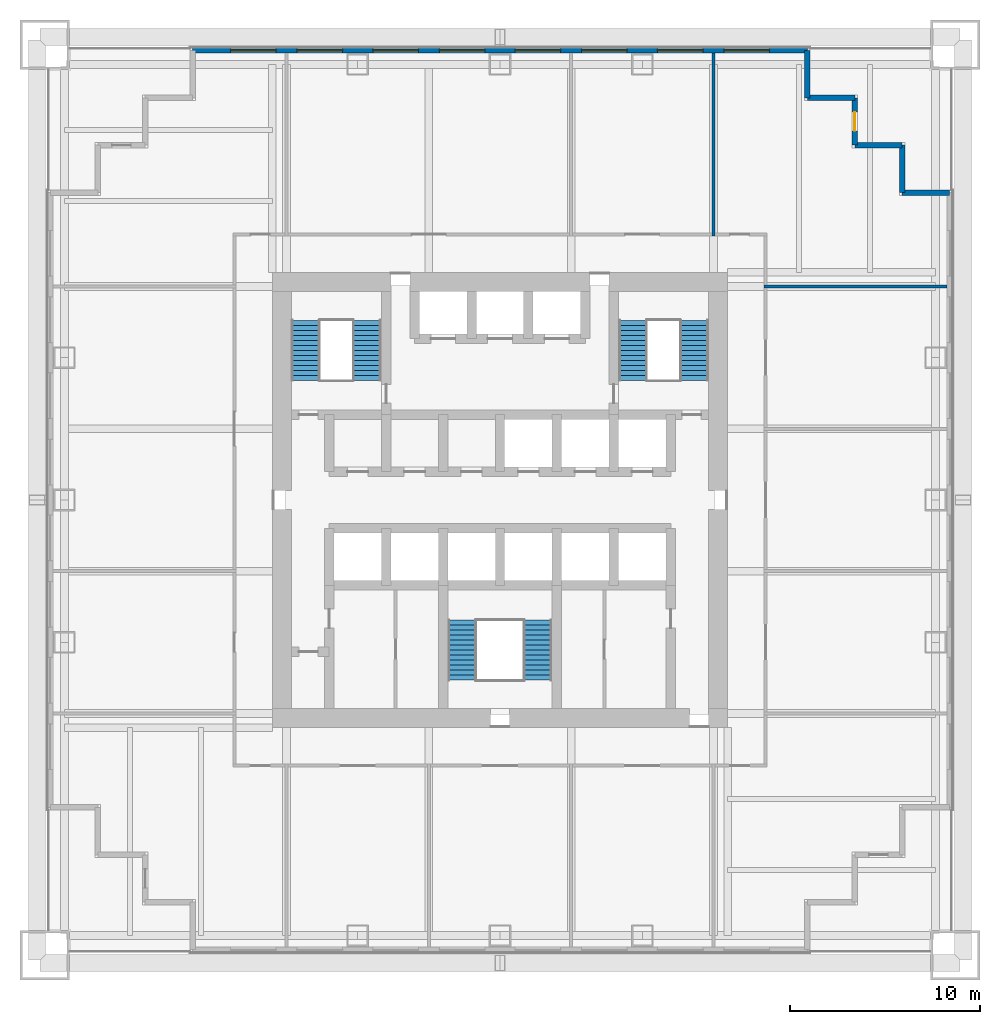
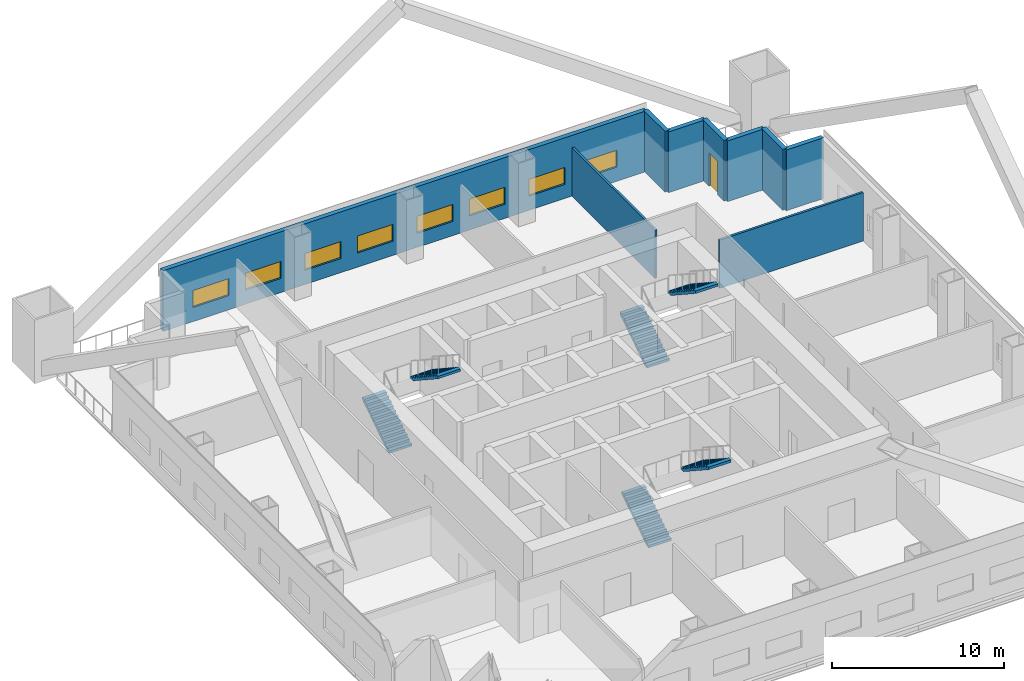
# One storey, part 5 of 6: 9 walls, 8 windows, 6 stair flights, 1 door, 9 openings, 3 elements without a shape of their own.
"""IFC4 building model written with IfcOpenShell, lengths in metres."""

from ifc_helpers import new_model, si_unit, direction, frame, frame_2d, origin, place, context, subcontext, project, spatial, polyline, rectangle, outline, extrude, material, layer, layer_set, type_object, element, fill, aggregate, save


model = new_model("IFC4")

# Units and contexts
model_context = context("Model", 3, precision=1e-05, world=origin(), true_north=direction((0.0, 1.0)))
body_context = subcontext(model_context, "Body", "Model", "MODEL_VIEW")
ifc_project = project(units=[si_unit("LENGTHUNIT", "METRE"), si_unit("AREAUNIT", "SQUARE_METRE"), si_unit("VOLUMEUNIT", "CUBIC_METRE"), si_unit("PLANEANGLEUNIT", "RADIAN"), si_unit("MASSUNIT", "GRAM", prefix="KILO")], contexts=[model_context])

# Site, building, storey
site_placement = place(None, origin())
site = spatial("IfcSite", under=ifc_project, at=site_placement, CompositionType="ELEMENT")
building_placement = place(site_placement, origin())
building = spatial("IfcBuilding", under=site, at=building_placement, Name="Tarangal Relay Tower", CompositionType="ELEMENT")
storey_placement = place(building_placement, frame((0.0, 0.0, 104.39990234375)))
storey = spatial("IfcBuildingStorey", under=building, at=storey_placement, Name="L20", CompositionType="ELEMENT", Elevation=104.39990234375)

# Wall, openings, windows
ifc_material_1 = material(Name="Insulated precast concrete fc' 40 MPa", Category="concrete")
ifc_layer_1 = layer(ifc_material_1, 0.300048828125)
ifc_layer_set_1 = layer_set([ifc_layer_1], Name="Insulated precast concrete fc' 40 MPa")
wall_type_1 = type_object("IfcWallType", Name="Facade wall precast 300", PredefinedType="SOLIDWALL", material=ifc_layer_set_1)
wall_1_placement = place(storey_placement, frame((-16.199951171875, 23.699951171875, 0.0), z_axis=(0.0, 0.0, 1.0), x_axis=(1.0, 0.0, 0.0)))
wall_1 = element("IfcWall", 1, at=wall_1_placement, inside=storey, type_object=wall_type_1, Name="Facade wall N facade L20", PredefinedType="SOLIDWALL", context=body_context, shape_type="SweptSolid", body=[
    extrude(rectangle(XDim=32.39990234375, YDim=0.300048828125, at=frame_2d((16.199951171875, 0.0))), origin(), (0.0, 0.0, 1.0), 4.300048828125),
])
opening_1_placement = place(wall_1_placement, frame((2.0, 0.0, 1.0)))
opening_1 = element("IfcOpeningElement", 2, at=opening_1_placement, cuts=wall_1, Name="Opening WN1", PredefinedType="OPENING", context=body_context, shape_type="SweptSolid", body=[
    extrude(rectangle(XDim=2.39990234375, YDim=1.199951171875, at=frame_2d((1.199951171875, 0.60009765625))), frame((0.0, 0.159912109375, 0.0), z_axis=(0.0, -1.0, 0.0), x_axis=(1.0, 0.0, 0.0)), (0.0, 0.0, 1.0), 0.320068359375),
])
opening_2_placement = place(wall_1_placement, frame((5.5, 0.0, 1.0)))
opening_2 = element("IfcOpeningElement", 3, at=opening_2_placement, cuts=wall_1, Name="Opening WN1", PredefinedType="OPENING", context=body_context, shape_type="SweptSolid", body=[
    extrude(rectangle(XDim=2.39990234375, YDim=1.199951171875, at=frame_2d((1.199951171875, 0.60009765625))), frame((0.0, 0.159912109375, 0.0), z_axis=(0.0, -1.0, 0.0), x_axis=(1.0, 0.0, 0.0)), (0.0, 0.0, 1.0), 0.320068359375),
])
opening_3_placement = place(wall_1_placement, frame((9.5, 0.0, 1.0)))
opening_3 = element("IfcOpeningElement", 4, at=opening_3_placement, cuts=wall_1, Name="Opening WN1", PredefinedType="OPENING", context=body_context, shape_type="SweptSolid", body=[
    extrude(rectangle(XDim=2.39990234375, YDim=1.199951171875, at=frame_2d((1.199951171875, 0.60009765625))), frame((0.0, 0.159912109375, 0.0), z_axis=(0.0, -1.0, 0.0), x_axis=(1.0, 0.0, 0.0)), (0.0, 0.0, 1.0), 0.320068359375),
])
opening_4_placement = place(wall_1_placement, frame((13.0, 0.0, 1.0)))
opening_4 = element("IfcOpeningElement", 5, at=opening_4_placement, cuts=wall_1, Name="Opening WN1", PredefinedType="OPENING", context=body_context, shape_type="SweptSolid", body=[
    extrude(rectangle(XDim=2.39990234375, YDim=1.199951171875, at=frame_2d((1.199951171875, 0.60009765625))), frame((0.0, 0.159912109375, 0.0), z_axis=(0.0, -1.0, 0.0), x_axis=(1.0, 0.0, 0.0)), (0.0, 0.0, 1.0), 0.320068359375),
])
opening_5_placement = place(wall_1_placement, frame((17.0, 0.0, 1.0)))
opening_5 = element("IfcOpeningElement", 6, at=opening_5_placement, cuts=wall_1, Name="Opening WN1", PredefinedType="OPENING", context=body_context, shape_type="SweptSolid", body=[
    extrude(rectangle(XDim=2.39990234375, YDim=1.199951171875, at=frame_2d((1.199951171875, 0.60009765625))), frame((0.0, 0.159912109375, 0.0), z_axis=(0.0, -1.0, 0.0), x_axis=(1.0, 0.0, 0.0)), (0.0, 0.0, 1.0), 0.320068359375),
])
opening_6_placement = place(wall_1_placement, frame((20.5, 0.0, 1.0)))
opening_6 = element("IfcOpeningElement", 7, at=opening_6_placement, cuts=wall_1, Name="Opening WN1", PredefinedType="OPENING", context=body_context, shape_type="SweptSolid", body=[
    extrude(rectangle(XDim=2.39990234375, YDim=1.199951171875, at=frame_2d((1.199951171875, 0.60009765625))), frame((0.0, 0.159912109375, 0.0), z_axis=(0.0, -1.0, 0.0), x_axis=(1.0, 0.0, 0.0)), (0.0, 0.0, 1.0), 0.320068359375),
])
opening_7_placement = place(wall_1_placement, frame((24.5, 0.0, 1.0)))
opening_7 = element("IfcOpeningElement", 8, at=opening_7_placement, cuts=wall_1, Name="Opening WN1", PredefinedType="OPENING", context=body_context, shape_type="SweptSolid", body=[
    extrude(rectangle(XDim=2.39990234375, YDim=1.199951171875, at=frame_2d((1.199951171875, 0.60009765625))), frame((0.0, 0.159912109375, 0.0), z_axis=(0.0, -1.0, 0.0), x_axis=(1.0, 0.0, 0.0)), (0.0, 0.0, 1.0), 0.320068359375),
])
opening_8_placement = place(wall_1_placement, frame((28.0, 0.0, 1.0)))
opening_8 = element("IfcOpeningElement", 9, at=opening_8_placement, cuts=wall_1, Name="Opening WN1", PredefinedType="OPENING", context=body_context, shape_type="SweptSolid", body=[
    extrude(rectangle(XDim=2.39990234375, YDim=1.199951171875, at=frame_2d((1.199951171875, 0.60009765625))), frame((0.0, 0.159912109375, 0.0), z_axis=(0.0, -1.0, 0.0), x_axis=(1.0, 0.0, 0.0)), (0.0, 0.0, 1.0), 0.320068359375),
])
ifc_material_2 = material(Name="Dark tinted double glazing in black aluminium frame", Category="aluminium")
window_type = type_object("IfcWindowType", Name="Ribbon window 2400 x 1200", PartitioningType="SINGLE_PANEL", PredefinedType="WINDOW", material=ifc_material_2)
window_1_placement = place(opening_1_placement, origin())
window_1 = element("IfcWindow", 10, at=window_1_placement, inside=storey, type_object=window_type, Name="Ribbon window WN1 N facade L20", OverallHeight=1.199951171875, OverallWidth=2.39990234375, PartitioningType="SINGLE_PANEL", PredefinedType="WINDOW", context=body_context, shape_type="SweptSolid", body=[
    extrude(rectangle(XDim=2.39990234375, YDim=1.199951171875, at=frame_2d((1.199951171875, 0.60009765625))), frame((0.0, 0.030029296875, 0.0), z_axis=(0.0, -1.0, 0.0), x_axis=(1.0, 0.0, 0.0)), (0.0, 0.0, 1.0), 0.06005859375),
])
fill(opening_1, window_1)
window_2_placement = place(opening_2_placement, origin())
window_2 = element("IfcWindow", 11, at=window_2_placement, inside=storey, type_object=window_type, Name="Ribbon window WN1 N facade L20", OverallHeight=1.199951171875, OverallWidth=2.39990234375, PartitioningType="SINGLE_PANEL", PredefinedType="WINDOW", context=body_context, shape_type="SweptSolid", body=[
    extrude(rectangle(XDim=2.39990234375, YDim=1.199951171875, at=frame_2d((1.199951171875, 0.60009765625))), frame((0.0, 0.030029296875, 0.0), z_axis=(0.0, -1.0, 0.0), x_axis=(1.0, 0.0, 0.0)), (0.0, 0.0, 1.0), 0.06005859375),
])
fill(opening_2, window_2)
window_3_placement = place(opening_3_placement, origin())
window_3 = element("IfcWindow", 12, at=window_3_placement, inside=storey, type_object=window_type, Name="Ribbon window WN1 N facade L20", OverallHeight=1.199951171875, OverallWidth=2.39990234375, PartitioningType="SINGLE_PANEL", PredefinedType="WINDOW", context=body_context, shape_type="SweptSolid", body=[
    extrude(rectangle(XDim=2.39990234375, YDim=1.199951171875, at=frame_2d((1.199951171875, 0.60009765625))), frame((0.0, 0.030029296875, 0.0), z_axis=(0.0, -1.0, 0.0), x_axis=(1.0, 0.0, 0.0)), (0.0, 0.0, 1.0), 0.06005859375),
])
fill(opening_3, window_3)
window_4_placement = place(opening_4_placement, origin())
window_4 = element("IfcWindow", 13, at=window_4_placement, inside=storey, type_object=window_type, Name="Ribbon window WN1 N facade L20", OverallHeight=1.199951171875, OverallWidth=2.39990234375, PartitioningType="SINGLE_PANEL", PredefinedType="WINDOW", context=body_context, shape_type="SweptSolid", body=[
    extrude(rectangle(XDim=2.39990234375, YDim=1.199951171875, at=frame_2d((1.199951171875, 0.60009765625))), frame((0.0, 0.030029296875, 0.0), z_axis=(0.0, -1.0, 0.0), x_axis=(1.0, 0.0, 0.0)), (0.0, 0.0, 1.0), 0.06005859375),
])
fill(opening_4, window_4)
window_5_placement = place(opening_5_placement, origin())
window_5 = element("IfcWindow", 14, at=window_5_placement, inside=storey, type_object=window_type, Name="Ribbon window WN1 N facade L20", OverallHeight=1.199951171875, OverallWidth=2.39990234375, PartitioningType="SINGLE_PANEL", PredefinedType="WINDOW", context=body_context, shape_type="SweptSolid", body=[
    extrude(rectangle(XDim=2.39990234375, YDim=1.199951171875, at=frame_2d((1.199951171875, 0.60009765625))), frame((0.0, 0.030029296875, 0.0), z_axis=(0.0, -1.0, 0.0), x_axis=(1.0, 0.0, 0.0)), (0.0, 0.0, 1.0), 0.06005859375),
])
fill(opening_5, window_5)
window_6_placement = place(opening_6_placement, origin())
window_6 = element("IfcWindow", 15, at=window_6_placement, inside=storey, type_object=window_type, Name="Ribbon window WN1 N facade L20", OverallHeight=1.199951171875, OverallWidth=2.39990234375, PartitioningType="SINGLE_PANEL", PredefinedType="WINDOW", context=body_context, shape_type="SweptSolid", body=[
    extrude(rectangle(XDim=2.39990234375, YDim=1.199951171875, at=frame_2d((1.199951171875, 0.60009765625))), frame((0.0, 0.030029296875, 0.0), z_axis=(0.0, -1.0, 0.0), x_axis=(1.0, 0.0, 0.0)), (0.0, 0.0, 1.0), 0.06005859375),
])
fill(opening_6, window_6)
window_7_placement = place(opening_7_placement, origin())
window_7 = element("IfcWindow", 16, at=window_7_placement, inside=storey, type_object=window_type, Name="Ribbon window WN1 N facade L20", OverallHeight=1.199951171875, OverallWidth=2.39990234375, PartitioningType="SINGLE_PANEL", PredefinedType="WINDOW", context=body_context, shape_type="SweptSolid", body=[
    extrude(rectangle(XDim=2.39990234375, YDim=1.199951171875, at=frame_2d((1.199951171875, 0.60009765625))), frame((0.0, 0.030029296875, 0.0), z_axis=(0.0, -1.0, 0.0), x_axis=(1.0, 0.0, 0.0)), (0.0, 0.0, 1.0), 0.06005859375),
])
fill(opening_7, window_7)
window_8_placement = place(opening_8_placement, origin())
window_8 = element("IfcWindow", 17, at=window_8_placement, inside=storey, type_object=window_type, Name="Ribbon window WN1 N facade L20", OverallHeight=1.199951171875, OverallWidth=2.39990234375, PartitioningType="SINGLE_PANEL", PredefinedType="WINDOW", context=body_context, shape_type="SweptSolid", body=[
    extrude(rectangle(XDim=2.39990234375, YDim=1.199951171875, at=frame_2d((1.199951171875, 0.60009765625))), frame((0.0, 0.030029296875, 0.0), z_axis=(0.0, -1.0, 0.0), x_axis=(1.0, 0.0, 0.0)), (0.0, 0.0, 1.0), 0.06005859375),
])
fill(opening_8, window_8)

# Walls
for number, where, z_axis, x_axis, name in (
    (18, (16.199951171875, 23.699951171875, 0.0), (0.0, 0.0, 1.0), (0.0, -1.0, 0.0), "Facade wall N facade L20"),
    (19, (16.199951171875, 21.199951171875, 0.0), (0.0, 0.0, 1.0), (1.0, 0.0, 0.0), "Facade wall N facade L20"),
):
    element("IfcWall", number, at=place(storey_placement, frame(where, z_axis=z_axis, x_axis=x_axis)), inside=storey, type_object=wall_type_1, Name=name, PredefinedType="SOLIDWALL", context=body_context, shape_type="SweptSolid", body=[
        extrude(rectangle(XDim=2.5, YDim=0.300048828125, at=frame_2d((1.25, 0.0))), origin(), (0.0, 0.0, 1.0), 4.300048828125),
    ])

# Wall, opening, door
wall_2_placement = place(storey_placement, frame((18.699951171875, 21.199951171875, 0.0), z_axis=(0.0, 0.0, 1.0), x_axis=(0.0, -1.0, 0.0)))
wall_2 = element("IfcWall", 20, at=wall_2_placement, inside=storey, type_object=wall_type_1, Name="Facade wall N facade L20", PredefinedType="SOLIDWALL", context=body_context, shape_type="SweptSolid", body=[
    extrude(rectangle(XDim=2.5, YDim=0.300048828125, at=frame_2d((1.25, 0.0))), origin(), (0.0, 0.0, 1.0), 4.300048828125),
])
opening_9_placement = place(wall_2_placement, frame((0.75, 0.0, 0.0)))
opening_9 = element("IfcOpeningElement", 21, at=opening_9_placement, cuts=wall_2, Name="Opening TD1", PredefinedType="OPENING", context=body_context, shape_type="SweptSolid", body=[
    extrude(rectangle(XDim=1.0, YDim=2.39990234375, at=frame_2d((0.5, 1.199951171875))), frame((0.0, 0.159912109375, 0.0), z_axis=(0.0, -1.0, 0.0), x_axis=(1.0, 0.0, 0.0)), (0.0, 0.0, 1.0), 0.320068359375),
])
ifc_material_3 = material(Name="Aluminium glazed door", Category="aluminium")
door_type = type_object("IfcDoorType", Name="Terrace door 1000 x 2400", OperationType="SINGLE_SWING_RIGHT", PredefinedType="DOOR", material=ifc_material_3)
door_placement = place(opening_9_placement, origin())
door = element("IfcDoor", 22, at=door_placement, inside=storey, type_object=door_type, Name="Terrace door TD1 NE L20", OperationType="SINGLE_SWING_RIGHT", OverallHeight=2.39990234375, OverallWidth=1.0, PredefinedType="DOOR", context=body_context, shape_type="SweptSolid", body=[
    extrude(rectangle(XDim=1.0, YDim=2.39990234375, at=frame_2d((0.5, 1.199951171875))), frame((0.0, 0.02490234375, 0.0), z_axis=(0.0, -1.0, 0.0), x_axis=(1.0, 0.0, 0.0)), (0.0, 0.0, 1.0), 0.050048828125),
])
fill(opening_9, door)

# Walls
for number, where, z_axis, x_axis, name in (
    (23, (18.699951171875, 18.699951171875, 0.0), (0.0, 0.0, 1.0), (1.0, 0.0, 0.0), "Facade wall N facade L20"),
    (24, (21.199951171875, 18.699951171875, 0.0), (0.0, 0.0, 1.0), (0.0, -1.0, 0.0), "Facade wall N facade L20"),
    (25, (21.199951171875, 16.199951171875, 0.0), (0.0, 0.0, 1.0), (1.0, 0.0, 0.0), "Facade wall N facade L20"),
):
    element("IfcWall", number, at=place(storey_placement, frame(where, z_axis=z_axis, x_axis=x_axis)), inside=storey, type_object=wall_type_1, Name=name, PredefinedType="SOLIDWALL", context=body_context, shape_type="SweptSolid", body=[
        extrude(rectangle(XDim=2.5, YDim=0.300048828125, at=frame_2d((1.25, 0.0))), origin(), (0.0, 0.0, 1.0), 4.300048828125),
    ])
ifc_material_4 = material(Name="Gypsum board on steel studs", Category="steel")
ifc_layer_2 = layer(ifc_material_4, 0.14990234375)
ifc_layer_set_2 = layer_set([ifc_layer_2], Name="Partition 150")
wall_type_2 = type_object("IfcWallType", Name="Partition 150", PredefinedType="PARTITIONING", material=ifc_layer_set_2)
for number, where, z_axis, x_axis, name in (
    (26, (13.925048828125, 11.25, 0.0), (0.0, 0.0, 1.0), (1.0, 0.0, 0.0), "Partition PT1 L20"),
    (27, (11.25, 13.925048828125, 0.0), (0.0, 0.0, 1.0), (0.0, 1.0, 0.0), "Partition PT1 L20"),
):
    element("IfcWall", number, at=place(storey_placement, frame(where, z_axis=z_axis, x_axis=x_axis)), inside=storey, type_object=wall_type_2, Name=name, PredefinedType="PARTITIONING", context=body_context, shape_type="SweptSolid", body=[
        extrude(rectangle(XDim=9.625, YDim=0.14990234375, at=frame_2d((4.8125, 0.0))), origin(), (0.0, 0.0, 1.0), 3.431396484375),
    ])

# Stair, stair flights
ifc_material_5 = material(Name="Steel ASTM A992 stair flight", Category="steel")
stair_type = type_object("IfcStairType", Name="Core stair 1500", PredefinedType="HALF_TURN_STAIR", material=ifc_material_5)
stair_1_placement = place(storey_placement, origin())
stair_1 = element("IfcStair", 28, at=stair_1_placement, inside=storey, type_object=stair_type, Name="Stair ST-A L20", PredefinedType="HALF_TURN_STAIR")
stair_flight_type = type_object("IfcStairFlightType", Name="Steel stair flight 1500, 13 risers 173 x 264", PredefinedType="STRAIGHT", material=ifc_material_5)
stair_flight_1_placement = place(storey_placement, frame((-10.25, 6.300048828125, 0.0), z_axis=(0.0, 0.0, 1.0), x_axis=(0.0, 1.0, 0.0)))
stair_flight_1 = element("IfcStairFlight", 29, at=stair_flight_1_placement, type_object=stair_flight_type, Name="ST-A flight 1", NumberOfRisers=13, NumberOfTreads=12, PredefinedType="STRAIGHT", RiserHeight=0.173076923, TreadLength=0.264, context=body_context, shape_type="SweptSolid", body=[
    extrude(outline(polyline([(0.0, 0.0), (0.0, 0.173095703125), (0.263916015625, 0.173095703125), (0.263916015625, 0.34619140625), (0.528076171875, 0.34619140625), (0.528076171875, 0.519287109375), (0.7919921875, 0.519287109375), (0.7919921875, 0.6923828125), (1.055908203125, 0.6923828125), (1.055908203125, 0.865478515625), (1.320068359375, 0.865478515625), (1.320068359375, 1.03857421875), (1.583984375, 1.03857421875), (1.583984375, 1.21142578125), (1.847900390625, 1.21142578125), (1.847900390625, 1.384521484375), (2.112060546875, 1.384521484375), (2.112060546875, 1.5576171875), (2.3759765625, 1.5576171875), (2.3759765625, 1.730712890625), (2.639892578125, 1.730712890625), (2.639892578125, 1.90380859375), (2.904052734375, 1.90380859375), (2.904052734375, 2.076904296875), (3.16796875, 2.076904296875), (3.16796875, 2.25), (3.16796875, 1.897705078125), (0.2734375, 0.0), (0.0, 0.0)])), frame((0.0, 0.75, 0.0), z_axis=(0.0, -1.0, 0.0), x_axis=(1.0, 0.0, 0.0)), (0.0, 0.0, 1.0), 1.5),
])
stair_flight_2_placement = place(storey_placement, frame((-7.0, 9.468017578125, 2.25), z_axis=(0.0, 0.0, 1.0), x_axis=(0.0, -1.0, 0.0)))
stair_flight_2 = element("IfcStairFlight", 30, at=stair_flight_2_placement, type_object=stair_flight_type, Name="ST-A flight 2", NumberOfRisers=13, NumberOfTreads=12, PredefinedType="STRAIGHT", RiserHeight=0.173076923, TreadLength=0.264, context=body_context, shape_type="SweptSolid", body=[
    extrude(outline(polyline([(0.0, 0.0), (0.0, 0.173095703125), (0.263916015625, 0.173095703125), (0.263916015625, 0.34619140625), (0.528076171875, 0.34619140625), (0.528076171875, 0.519287109375), (0.7919921875, 0.519287109375), (0.7919921875, 0.6923828125), (1.055908203125, 0.6923828125), (1.055908203125, 0.865478515625), (1.320068359375, 0.865478515625), (1.320068359375, 1.03857421875), (1.583984375, 1.03857421875), (1.583984375, 1.21142578125), (1.847900390625, 1.21142578125), (1.847900390625, 1.384521484375), (2.112060546875, 1.384521484375), (2.112060546875, 1.5576171875), (2.3759765625, 1.5576171875), (2.3759765625, 1.730712890625), (2.639892578125, 1.730712890625), (2.639892578125, 1.90380859375), (2.904052734375, 1.90380859375), (2.904052734375, 2.076904296875), (3.16796875, 2.076904296875), (3.16796875, 2.25), (3.16796875, 1.897705078125), (0.2734375, 0.0), (0.0, 0.0)])), frame((0.0, 0.75, 0.0), z_axis=(0.0, -1.0, 0.0), x_axis=(1.0, 0.0, 0.0)), (0.0, 0.0, 1.0), 1.5),
])
aggregate(stair_1, [stair_flight_1, stair_flight_2])

stair_2_placement = place(storey_placement, origin())
stair_2 = element("IfcStair", 31, at=stair_2_placement, inside=storey, type_object=stair_type, Name="Stair ST-B L20", PredefinedType="HALF_TURN_STAIR")
stair_flight_3_placement = place(storey_placement, frame((7.0, 6.300048828125, 0.0), z_axis=(0.0, 0.0, 1.0), x_axis=(0.0, 1.0, 0.0)))
stair_flight_3 = element("IfcStairFlight", 32, at=stair_flight_3_placement, type_object=stair_flight_type, Name="ST-B flight 1", NumberOfRisers=13, NumberOfTreads=12, PredefinedType="STRAIGHT", RiserHeight=0.173076923, TreadLength=0.264, context=body_context, shape_type="SweptSolid", body=[
    extrude(outline(polyline([(0.0, 0.0), (0.0, 0.173095703125), (0.263916015625, 0.173095703125), (0.263916015625, 0.34619140625), (0.528076171875, 0.34619140625), (0.528076171875, 0.519287109375), (0.7919921875, 0.519287109375), (0.7919921875, 0.6923828125), (1.055908203125, 0.6923828125), (1.055908203125, 0.865478515625), (1.320068359375, 0.865478515625), (1.320068359375, 1.03857421875), (1.583984375, 1.03857421875), (1.583984375, 1.21142578125), (1.847900390625, 1.21142578125), (1.847900390625, 1.384521484375), (2.112060546875, 1.384521484375), (2.112060546875, 1.5576171875), (2.3759765625, 1.5576171875), (2.3759765625, 1.730712890625), (2.639892578125, 1.730712890625), (2.639892578125, 1.90380859375), (2.904052734375, 1.90380859375), (2.904052734375, 2.076904296875), (3.16796875, 2.076904296875), (3.16796875, 2.25), (3.16796875, 1.897705078125), (0.2734375, 0.0), (0.0, 0.0)])), frame((0.0, 0.75, 0.0), z_axis=(0.0, -1.0, 0.0), x_axis=(1.0, 0.0, 0.0)), (0.0, 0.0, 1.0), 1.5),
])
stair_flight_4_placement = place(storey_placement, frame((10.25, 9.468017578125, 2.25), z_axis=(0.0, 0.0, 1.0), x_axis=(0.0, -1.0, 0.0)))
stair_flight_4 = element("IfcStairFlight", 33, at=stair_flight_4_placement, type_object=stair_flight_type, Name="ST-B flight 2", NumberOfRisers=13, NumberOfTreads=12, PredefinedType="STRAIGHT", RiserHeight=0.173076923, TreadLength=0.264, context=body_context, shape_type="SweptSolid", body=[
    extrude(outline(polyline([(0.0, 0.0), (0.0, 0.173095703125), (0.263916015625, 0.173095703125), (0.263916015625, 0.34619140625), (0.528076171875, 0.34619140625), (0.528076171875, 0.519287109375), (0.7919921875, 0.519287109375), (0.7919921875, 0.6923828125), (1.055908203125, 0.6923828125), (1.055908203125, 0.865478515625), (1.320068359375, 0.865478515625), (1.320068359375, 1.03857421875), (1.583984375, 1.03857421875), (1.583984375, 1.21142578125), (1.847900390625, 1.21142578125), (1.847900390625, 1.384521484375), (2.112060546875, 1.384521484375), (2.112060546875, 1.5576171875), (2.3759765625, 1.5576171875), (2.3759765625, 1.730712890625), (2.639892578125, 1.730712890625), (2.639892578125, 1.90380859375), (2.904052734375, 1.90380859375), (2.904052734375, 2.076904296875), (3.16796875, 2.076904296875), (3.16796875, 2.25), (3.16796875, 1.897705078125), (0.2734375, 0.0), (0.0, 0.0)])), frame((0.0, 0.75, 0.0), z_axis=(0.0, -1.0, 0.0), x_axis=(1.0, 0.0, 0.0)), (0.0, 0.0, 1.0), 1.5),
])
aggregate(stair_2, [stair_flight_3, stair_flight_4])

stair_3_placement = place(storey_placement, origin())
stair_3 = element("IfcStair", 34, at=stair_3_placement, inside=storey, type_object=stair_type, Name="Stair ST-C L20", PredefinedType="HALF_TURN_STAIR")
stair_flight_5_placement = place(storey_placement, frame((-2.0, -9.5, 0.0), z_axis=(0.0, 0.0, 1.0), x_axis=(0.0, 1.0, 0.0)))
stair_flight_5 = element("IfcStairFlight", 35, at=stair_flight_5_placement, type_object=stair_flight_type, Name="ST-C flight 1", NumberOfRisers=13, NumberOfTreads=12, PredefinedType="STRAIGHT", RiserHeight=0.173076923, TreadLength=0.264, context=body_context, shape_type="SweptSolid", body=[
    extrude(outline(polyline([(0.0, 0.0), (0.0, 0.173095703125), (0.263916015625, 0.173095703125), (0.263916015625, 0.34619140625), (0.528076171875, 0.34619140625), (0.528076171875, 0.519287109375), (0.7919921875, 0.519287109375), (0.7919921875, 0.6923828125), (1.055908203125, 0.6923828125), (1.055908203125, 0.865478515625), (1.320068359375, 0.865478515625), (1.320068359375, 1.03857421875), (1.583984375, 1.03857421875), (1.583984375, 1.21142578125), (1.847900390625, 1.21142578125), (1.847900390625, 1.384521484375), (2.112060546875, 1.384521484375), (2.112060546875, 1.5576171875), (2.3759765625, 1.5576171875), (2.3759765625, 1.730712890625), (2.639892578125, 1.730712890625), (2.639892578125, 1.90380859375), (2.904052734375, 1.90380859375), (2.904052734375, 2.076904296875), (3.16796875, 2.076904296875), (3.16796875, 2.25), (3.16796875, 1.897705078125), (0.2734375, 0.0), (0.0, 0.0)])), frame((0.0, 0.75, 0.0), z_axis=(0.0, -1.0, 0.0), x_axis=(1.0, 0.0, 0.0)), (0.0, 0.0, 1.0), 1.5),
])
stair_flight_6_placement = place(storey_placement, frame((2.0, -6.33203125, 2.25), z_axis=(0.0, 0.0, 1.0), x_axis=(0.0, -1.0, 0.0)))
stair_flight_6 = element("IfcStairFlight", 36, at=stair_flight_6_placement, type_object=stair_flight_type, Name="ST-C flight 2", NumberOfRisers=13, NumberOfTreads=12, PredefinedType="STRAIGHT", RiserHeight=0.173076923, TreadLength=0.264, context=body_context, shape_type="SweptSolid", body=[
    extrude(outline(polyline([(0.0, 0.0), (0.0, 0.173095703125), (0.263916015625, 0.173095703125), (0.263916015625, 0.34619140625), (0.528076171875, 0.34619140625), (0.528076171875, 0.519287109375), (0.7919921875, 0.519287109375), (0.7919921875, 0.6923828125), (1.055908203125, 0.6923828125), (1.055908203125, 0.865478515625), (1.320068359375, 0.865478515625), (1.320068359375, 1.03857421875), (1.583984375, 1.03857421875), (1.583984375, 1.21142578125), (1.847900390625, 1.21142578125), (1.847900390625, 1.384521484375), (2.112060546875, 1.384521484375), (2.112060546875, 1.5576171875), (2.3759765625, 1.5576171875), (2.3759765625, 1.730712890625), (2.639892578125, 1.730712890625), (2.639892578125, 1.90380859375), (2.904052734375, 1.90380859375), (2.904052734375, 2.076904296875), (3.16796875, 2.076904296875), (3.16796875, 2.25), (3.16796875, 1.897705078125), (0.2734375, 0.0), (0.0, 0.0)])), frame((0.0, 0.75, 0.0), z_axis=(0.0, -1.0, 0.0), x_axis=(1.0, 0.0, 0.0)), (0.0, 0.0, 1.0), 1.5),
])
aggregate(stair_3, [stair_flight_5, stair_flight_6])

save(model, "model.ifc")
